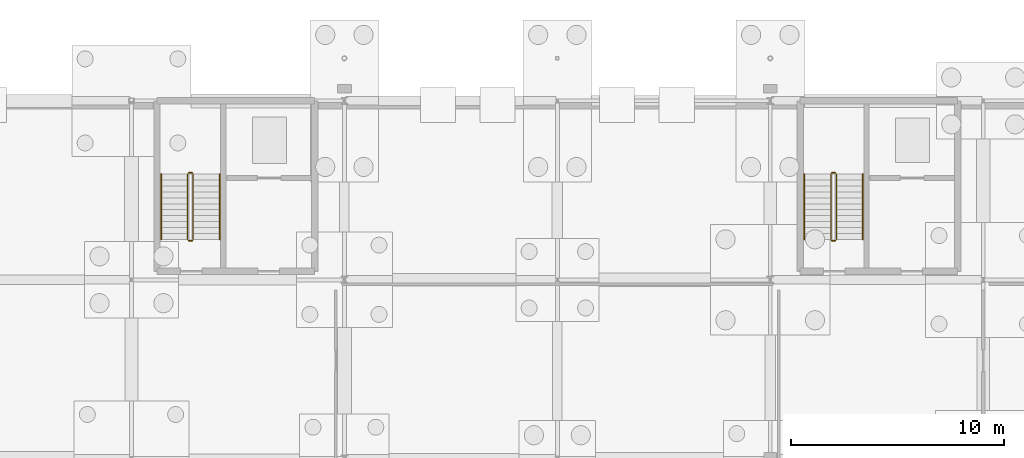
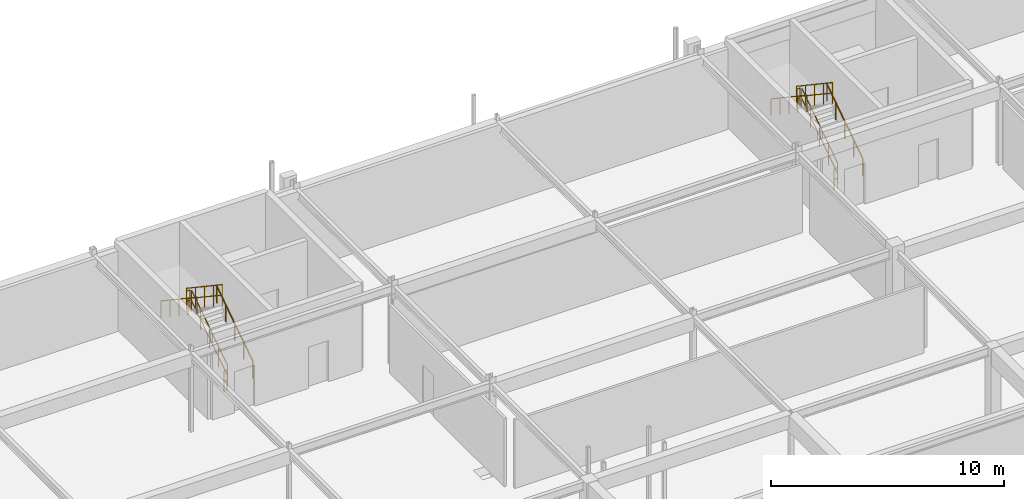
# One storey, part 71 of 75: 12 railings.
"""IFC4 building model written with IfcOpenShell, lengths in metres."""

from ifc_helpers import new_model, si_unit, derived_unit, direction, frame, origin, origin_2d_with_axis, place, context, subcontext, project, spatial, circle, extrude, material, layer, layer_set, type_object, element, save


model = new_model("IFC4")

# Units and contexts
model_context = context("Model", 3, precision=1e-05, world=origin(), true_north=direction((0.0, 1.0)))
body_context = subcontext(model_context, "Body", "Model", "MODEL_VIEW")
ifc_project = project(units=[si_unit("LENGTHUNIT", "METRE"), si_unit("AREAUNIT", "SQUARE_METRE"), si_unit("VOLUMEUNIT", "CUBIC_METRE"), si_unit("PLANEANGLEUNIT", "RADIAN"), si_unit("MASSUNIT", "GRAM", prefix="KILO"), derived_unit("THERMALTRANSMITTANCEUNIT", [(si_unit("POWERUNIT", "WATT"), 1), (si_unit("LENGTHUNIT", "METRE"), -2), (si_unit("THERMODYNAMICTEMPERATUREUNIT", "KELVIN"), -1)])], contexts=[model_context])

# Site, building, storey
site_placement = place(None, origin())
site = spatial("IfcSite", under=ifc_project, at=site_placement, CompositionType="ELEMENT")
building_placement = place(site_placement, origin())
building = spatial("IfcBuilding", under=site, at=building_placement, Name="Cinnabar Yard Market Hall", CompositionType="ELEMENT")
storey_placement = place(building_placement, frame((0.0, 0.0, -4.5)))
storey = spatial("IfcBuildingStorey", under=building, at=storey_placement, Name="B1", CompositionType="ELEMENT", Elevation=-4.5)

# Railings
ifc_material_1 = material(Name="Galvanised steel Grade 300 (300 MPa) guardrail", Category="steel")
ifc_layer_1 = layer(ifc_material_1, 0.06005859375)
ifc_layer_set_1 = layer_set([ifc_layer_1], Name="Galvanised steel Grade 300 (300 MPa) guardrail")
railing_type_1 = type_object("IfcRailingType", Name="RL-G03", PredefinedType="GUARDRAIL", material=ifc_layer_set_1)
railing_1_placement = place(storey_placement, frame((98.89990234375, 131.489990234375, 0.1875)))
element("IfcRailing", 1, at=railing_1_placement, inside=storey, type_object=railing_type_1, Name="B1 ST-C5 stair guard 1", PredefinedType="GUARDRAIL", context=body_context, shape_type="SweptSolid", body=[
    extrude(circle(Radius=0.02392578125, at=origin_2d_with_axis()), frame((0.0, 0.0, 1.09619140625), z_axis=(0.0, 0.830913701846, 0.55640131208), x_axis=(-1.0, 0.0, 0.0)), (0.0, 0.0, 1.0), 3.706787109375),
    extrude(circle(Radius=0.02392578125, at=origin_2d_with_axis()), frame((0.0, 0.0, 0.550048828125), z_axis=(0.0, 0.830913701846, 0.55640131208), x_axis=(-1.0, 0.0, 0.0)), (0.0, 0.0, 1.0), 3.706787109375),
    extrude(circle(Radius=0.02099609375, at=origin_2d_with_axis()), origin(), (0.0, 0.0, 1.0), 1.072021484375),
    extrude(circle(Radius=0.02099609375, at=origin_2d_with_axis()), frame((0.0, 0.77001953125, 0.515625)), (0.0, 0.0, 1.0), 1.072021484375),
    extrude(circle(Radius=0.02099609375, at=origin_2d_with_axis()), frame((0.0, 1.5400390625, 1.03125)), (0.0, 0.0, 1.0), 1.072021484375),
    extrude(circle(Radius=0.02099609375, at=origin_2d_with_axis()), frame((0.0, 2.31005859375, 1.546875)), (0.0, 0.0, 1.0), 1.072021484375),
    extrude(circle(Radius=0.02099609375, at=origin_2d_with_axis()), frame((0.0, 3.080078125, 2.0625)), (0.0, 0.0, 1.0), 1.072021484375),
])
railing_2_placement = place(storey_placement, frame((98.85009765625, 134.6201171875, 2.25)))
element("IfcRailing", 2, at=railing_2_placement, inside=storey, type_object=railing_type_1, Name="B1 ST-C5 stair guard 2", PredefinedType="GUARDRAIL", context=body_context, shape_type="SweptSolid", body=[
    extrude(circle(Radius=0.02392578125, at=origin_2d_with_axis()), frame((0.0, 0.0, 1.09619140625), z_axis=(-1.0, 0.0, 0.0), x_axis=(0.0, -1.0, 0.0)), (0.0, 0.0, 1.0), 0.16015625),
    extrude(circle(Radius=0.02392578125, at=origin_2d_with_axis()), frame((0.0, 0.0, 0.550048828125), z_axis=(-1.0, 0.0, 0.0), x_axis=(0.0, -1.0, 0.0)), (0.0, 0.0, 1.0), 0.16015625),
    extrude(circle(Radius=0.02099609375, at=origin_2d_with_axis()), origin(), (0.0, 0.0, 1.0), 1.072021484375),
    extrude(circle(Radius=0.02099609375, at=origin_2d_with_axis()), frame((-0.16015625, 0.0, 0.0)), (0.0, 0.0, 1.0), 1.072021484375),
])
railing_3_placement = place(storey_placement, frame((98.639892578125, 134.570068359375, 2.4375)))
element("IfcRailing", 3, at=railing_3_placement, inside=storey, type_object=railing_type_1, Name="B1 ST-C5 stair guard 3", PredefinedType="GUARDRAIL", context=body_context, shape_type="SweptSolid", body=[
    extrude(circle(Radius=0.02392578125, at=origin_2d_with_axis()), frame((0.0, 0.0, 1.09619140625), z_axis=(0.0, -0.830913701846, 0.55640131208), x_axis=(1.0, 0.0, 0.0)), (0.0, 0.0, 1.0), 3.706787109375),
    extrude(circle(Radius=0.02392578125, at=origin_2d_with_axis()), frame((0.0, 0.0, 0.550048828125), z_axis=(0.0, -0.830913701846, 0.55640131208), x_axis=(1.0, 0.0, 0.0)), (0.0, 0.0, 1.0), 3.706787109375),
    extrude(circle(Radius=0.02099609375, at=origin_2d_with_axis()), origin(), (0.0, 0.0, 1.0), 1.072021484375),
    extrude(circle(Radius=0.02099609375, at=origin_2d_with_axis()), frame((0.0, -0.77001953125, 0.515625)), (0.0, 0.0, 1.0), 1.072021484375),
    extrude(circle(Radius=0.02099609375, at=origin_2d_with_axis()), frame((0.0, -1.5400390625, 1.03125)), (0.0, 0.0, 1.0), 1.072021484375),
    extrude(circle(Radius=0.02099609375, at=origin_2d_with_axis()), frame((0.0, -2.31005859375, 1.546875)), (0.0, 0.0, 1.0), 1.072021484375),
    extrude(circle(Radius=0.02099609375, at=origin_2d_with_axis()), frame((0.0, -3.080078125, 2.0625)), (0.0, 0.0, 1.0), 1.072021484375),
])
railing_4_placement = place(storey_placement, frame((98.85009765625, 131.43994140625, 0.0)))
element("IfcRailing", 4, at=railing_4_placement, inside=storey, type_object=railing_type_1, Name="B1 ST-C5 stair guard 4", PredefinedType="GUARDRAIL", context=body_context, shape_type="SweptSolid", body=[
    extrude(circle(Radius=0.02392578125, at=origin_2d_with_axis()), frame((0.0, 0.0, 1.09619140625), z_axis=(-1.0, 0.0, 0.0), x_axis=(0.0, -1.0, 0.0)), (0.0, 0.0, 1.0), 0.16015625),
    extrude(circle(Radius=0.02392578125, at=origin_2d_with_axis()), frame((0.0, 0.0, 0.550048828125), z_axis=(-1.0, 0.0, 0.0), x_axis=(0.0, -1.0, 0.0)), (0.0, 0.0, 1.0), 0.16015625),
    extrude(circle(Radius=0.02099609375, at=origin_2d_with_axis()), origin(), (0.0, 0.0, 1.0), 1.072021484375),
    extrude(circle(Radius=0.02099609375, at=origin_2d_with_axis()), frame((-0.16015625, 0.0, 0.0)), (0.0, 0.0, 1.0), 1.072021484375),
])
railing_5_placement = place(storey_placement, frame((129.10009765625, 131.489990234375, 0.1875)))
element("IfcRailing", 5, at=railing_5_placement, inside=storey, type_object=railing_type_1, Name="B1 ST-C6 stair guard 1", PredefinedType="GUARDRAIL", context=body_context, shape_type="SweptSolid", body=[
    extrude(circle(Radius=0.02392578125, at=origin_2d_with_axis()), frame((0.0, 0.0, 1.09619140625), z_axis=(0.0, 0.830913701846, 0.55640131208), x_axis=(-1.0, 0.0, 0.0)), (0.0, 0.0, 1.0), 3.706787109375),
    extrude(circle(Radius=0.02392578125, at=origin_2d_with_axis()), frame((0.0, 0.0, 0.550048828125), z_axis=(0.0, 0.830913701846, 0.55640131208), x_axis=(-1.0, 0.0, 0.0)), (0.0, 0.0, 1.0), 3.706787109375),
    extrude(circle(Radius=0.02099609375, at=origin_2d_with_axis()), origin(), (0.0, 0.0, 1.0), 1.072021484375),
    extrude(circle(Radius=0.02099609375, at=origin_2d_with_axis()), frame((0.0, 0.77001953125, 0.515625)), (0.0, 0.0, 1.0), 1.072021484375),
    extrude(circle(Radius=0.02099609375, at=origin_2d_with_axis()), frame((0.0, 1.5400390625, 1.03125)), (0.0, 0.0, 1.0), 1.072021484375),
    extrude(circle(Radius=0.02099609375, at=origin_2d_with_axis()), frame((0.0, 2.31005859375, 1.546875)), (0.0, 0.0, 1.0), 1.072021484375),
    extrude(circle(Radius=0.02099609375, at=origin_2d_with_axis()), frame((0.0, 3.080078125, 2.0625)), (0.0, 0.0, 1.0), 1.072021484375),
])
railing_6_placement = place(storey_placement, frame((129.050048828125, 134.6201171875, 2.25)))
element("IfcRailing", 6, at=railing_6_placement, inside=storey, type_object=railing_type_1, Name="B1 ST-C6 stair guard 2", PredefinedType="GUARDRAIL", context=body_context, shape_type="SweptSolid", body=[
    extrude(circle(Radius=0.02392578125, at=origin_2d_with_axis()), frame((0.0, 0.0, 1.09619140625), z_axis=(-1.0, 0.0, 0.0), x_axis=(0.0, -1.0, 0.0)), (0.0, 0.0, 1.0), 0.16015625),
    extrude(circle(Radius=0.02392578125, at=origin_2d_with_axis()), frame((0.0, 0.0, 0.550048828125), z_axis=(-1.0, 0.0, 0.0), x_axis=(0.0, -1.0, 0.0)), (0.0, 0.0, 1.0), 0.16015625),
    extrude(circle(Radius=0.02099609375, at=origin_2d_with_axis()), origin(), (0.0, 0.0, 1.0), 1.072021484375),
    extrude(circle(Radius=0.02099609375, at=origin_2d_with_axis()), frame((-0.16015625, 0.0, 0.0)), (0.0, 0.0, 1.0), 1.072021484375),
])
railing_7_placement = place(storey_placement, frame((128.840087890625, 134.570068359375, 2.4375)))
element("IfcRailing", 7, at=railing_7_placement, inside=storey, type_object=railing_type_1, Name="B1 ST-C6 stair guard 3", PredefinedType="GUARDRAIL", context=body_context, shape_type="SweptSolid", body=[
    extrude(circle(Radius=0.02392578125, at=origin_2d_with_axis()), frame((0.0, 0.0, 1.09619140625), z_axis=(0.0, -0.830913701846, 0.55640131208), x_axis=(1.0, 0.0, 0.0)), (0.0, 0.0, 1.0), 3.706787109375),
    extrude(circle(Radius=0.02392578125, at=origin_2d_with_axis()), frame((0.0, 0.0, 0.550048828125), z_axis=(0.0, -0.830913701846, 0.55640131208), x_axis=(1.0, 0.0, 0.0)), (0.0, 0.0, 1.0), 3.706787109375),
    extrude(circle(Radius=0.02099609375, at=origin_2d_with_axis()), origin(), (0.0, 0.0, 1.0), 1.072021484375),
    extrude(circle(Radius=0.02099609375, at=origin_2d_with_axis()), frame((0.0, -0.77001953125, 0.515625)), (0.0, 0.0, 1.0), 1.072021484375),
    extrude(circle(Radius=0.02099609375, at=origin_2d_with_axis()), frame((0.0, -1.5400390625, 1.03125)), (0.0, 0.0, 1.0), 1.072021484375),
    extrude(circle(Radius=0.02099609375, at=origin_2d_with_axis()), frame((0.0, -2.31005859375, 1.546875)), (0.0, 0.0, 1.0), 1.072021484375),
    extrude(circle(Radius=0.02099609375, at=origin_2d_with_axis()), frame((0.0, -3.080078125, 2.0625)), (0.0, 0.0, 1.0), 1.072021484375),
])
railing_8_placement = place(storey_placement, frame((129.050048828125, 131.43994140625, 0.0)))
element("IfcRailing", 8, at=railing_8_placement, inside=storey, type_object=railing_type_1, Name="B1 ST-C6 stair guard 4", PredefinedType="GUARDRAIL", context=body_context, shape_type="SweptSolid", body=[
    extrude(circle(Radius=0.02392578125, at=origin_2d_with_axis()), frame((0.0, 0.0, 1.09619140625), z_axis=(-1.0, 0.0, 0.0), x_axis=(0.0, -1.0, 0.0)), (0.0, 0.0, 1.0), 0.16015625),
    extrude(circle(Radius=0.02392578125, at=origin_2d_with_axis()), frame((0.0, 0.0, 0.550048828125), z_axis=(-1.0, 0.0, 0.0), x_axis=(0.0, -1.0, 0.0)), (0.0, 0.0, 1.0), 0.16015625),
    extrude(circle(Radius=0.02099609375, at=origin_2d_with_axis()), origin(), (0.0, 0.0, 1.0), 1.072021484375),
    extrude(circle(Radius=0.02099609375, at=origin_2d_with_axis()), frame((-0.16015625, 0.0, 0.0)), (0.0, 0.0, 1.0), 1.072021484375),
])
ifc_material_2 = material(Name="Brushed stainless steel handrail", Category="steel")
ifc_layer_2 = layer(ifc_material_2, 0.050048828125)
ifc_layer_set_2 = layer_set([ifc_layer_2], Name="Brushed stainless steel handrail")
railing_type_2 = type_object("IfcRailingType", Name="RL-HR1", PredefinedType="HANDRAIL", material=ifc_layer_set_2)
railing_9_placement = place(storey_placement, frame((100.14990234375, 131.489990234375, 0.1875)))
element("IfcRailing", 9, at=railing_9_placement, inside=storey, type_object=railing_type_2, Name="B1 ST-C5 stair handrail 1", PredefinedType="HANDRAIL", context=body_context, shape_type="SweptSolid", body=[
    extrude(circle(Radius=0.02392578125, at=origin_2d_with_axis()), frame((0.0, 0.0, 0.8759765625), z_axis=(0.0, 0.830913701846, 0.55640131208), x_axis=(-1.0, 0.0, 0.0)), (0.0, 0.0, 1.0), 3.706787109375),
    extrude(circle(Radius=0.02099609375, at=origin_2d_with_axis()), origin(), (0.0, 0.0, 1.0), 0.851806640625),
    extrude(circle(Radius=0.02099609375, at=origin_2d_with_axis()), frame((0.0, 0.77001953125, 0.515625)), (0.0, 0.0, 1.0), 0.851806640625),
    extrude(circle(Radius=0.02099609375, at=origin_2d_with_axis()), frame((0.0, 1.5400390625, 1.03125)), (0.0, 0.0, 1.0), 0.851806640625),
    extrude(circle(Radius=0.02099609375, at=origin_2d_with_axis()), frame((0.0, 2.31005859375, 1.546875)), (0.0, 0.0, 1.0), 0.851806640625),
    extrude(circle(Radius=0.02099609375, at=origin_2d_with_axis()), frame((0.0, 3.080078125, 2.0625)), (0.0, 0.0, 1.0), 0.851806640625),
])
railing_10_placement = place(storey_placement, frame((97.389892578125, 134.570068359375, 2.4375)))
element("IfcRailing", 10, at=railing_10_placement, inside=storey, type_object=railing_type_2, Name="B1 ST-C5 stair handrail 2", PredefinedType="HANDRAIL", context=body_context, shape_type="SweptSolid", body=[
    extrude(circle(Radius=0.02392578125, at=origin_2d_with_axis()), frame((0.0, 0.0, 0.8759765625), z_axis=(0.0, -0.830913701846, 0.55640131208), x_axis=(1.0, 0.0, 0.0)), (0.0, 0.0, 1.0), 3.706787109375),
    extrude(circle(Radius=0.02099609375, at=origin_2d_with_axis()), origin(), (0.0, 0.0, 1.0), 0.851806640625),
    extrude(circle(Radius=0.02099609375, at=origin_2d_with_axis()), frame((0.0, -0.77001953125, 0.515625)), (0.0, 0.0, 1.0), 0.851806640625),
    extrude(circle(Radius=0.02099609375, at=origin_2d_with_axis()), frame((0.0, -1.5400390625, 1.03125)), (0.0, 0.0, 1.0), 0.851806640625),
    extrude(circle(Radius=0.02099609375, at=origin_2d_with_axis()), frame((0.0, -2.31005859375, 1.546875)), (0.0, 0.0, 1.0), 0.851806640625),
    extrude(circle(Radius=0.02099609375, at=origin_2d_with_axis()), frame((0.0, -3.080078125, 2.0625)), (0.0, 0.0, 1.0), 0.851806640625),
])
railing_11_placement = place(storey_placement, frame((130.35009765625, 131.489990234375, 0.1875)))
element("IfcRailing", 11, at=railing_11_placement, inside=storey, type_object=railing_type_2, Name="B1 ST-C6 stair handrail 1", PredefinedType="HANDRAIL", context=body_context, shape_type="SweptSolid", body=[
    extrude(circle(Radius=0.02392578125, at=origin_2d_with_axis()), frame((0.0, 0.0, 0.8759765625), z_axis=(0.0, 0.830913701846, 0.55640131208), x_axis=(-1.0, 0.0, 0.0)), (0.0, 0.0, 1.0), 3.706787109375),
    extrude(circle(Radius=0.02099609375, at=origin_2d_with_axis()), origin(), (0.0, 0.0, 1.0), 0.851806640625),
    extrude(circle(Radius=0.02099609375, at=origin_2d_with_axis()), frame((0.0, 0.77001953125, 0.515625)), (0.0, 0.0, 1.0), 0.851806640625),
    extrude(circle(Radius=0.02099609375, at=origin_2d_with_axis()), frame((0.0, 1.5400390625, 1.03125)), (0.0, 0.0, 1.0), 0.851806640625),
    extrude(circle(Radius=0.02099609375, at=origin_2d_with_axis()), frame((0.0, 2.31005859375, 1.546875)), (0.0, 0.0, 1.0), 0.851806640625),
    extrude(circle(Radius=0.02099609375, at=origin_2d_with_axis()), frame((0.0, 3.080078125, 2.0625)), (0.0, 0.0, 1.0), 0.851806640625),
])
railing_12_placement = place(storey_placement, frame((127.590087890625, 134.570068359375, 2.4375)))
element("IfcRailing", 12, at=railing_12_placement, inside=storey, type_object=railing_type_2, Name="B1 ST-C6 stair handrail 2", PredefinedType="HANDRAIL", context=body_context, shape_type="SweptSolid", body=[
    extrude(circle(Radius=0.02392578125, at=origin_2d_with_axis()), frame((0.0, 0.0, 0.8759765625), z_axis=(0.0, -0.830913701846, 0.55640131208), x_axis=(1.0, 0.0, 0.0)), (0.0, 0.0, 1.0), 3.706787109375),
    extrude(circle(Radius=0.02099609375, at=origin_2d_with_axis()), origin(), (0.0, 0.0, 1.0), 0.851806640625),
    extrude(circle(Radius=0.02099609375, at=origin_2d_with_axis()), frame((0.0, -0.77001953125, 0.515625)), (0.0, 0.0, 1.0), 0.851806640625),
    extrude(circle(Radius=0.02099609375, at=origin_2d_with_axis()), frame((0.0, -1.5400390625, 1.03125)), (0.0, 0.0, 1.0), 0.851806640625),
    extrude(circle(Radius=0.02099609375, at=origin_2d_with_axis()), frame((0.0, -2.31005859375, 1.546875)), (0.0, 0.0, 1.0), 0.851806640625),
    extrude(circle(Radius=0.02099609375, at=origin_2d_with_axis()), frame((0.0, -3.080078125, 2.0625)), (0.0, 0.0, 1.0), 0.851806640625),
])

save(model, "model.ifc")
